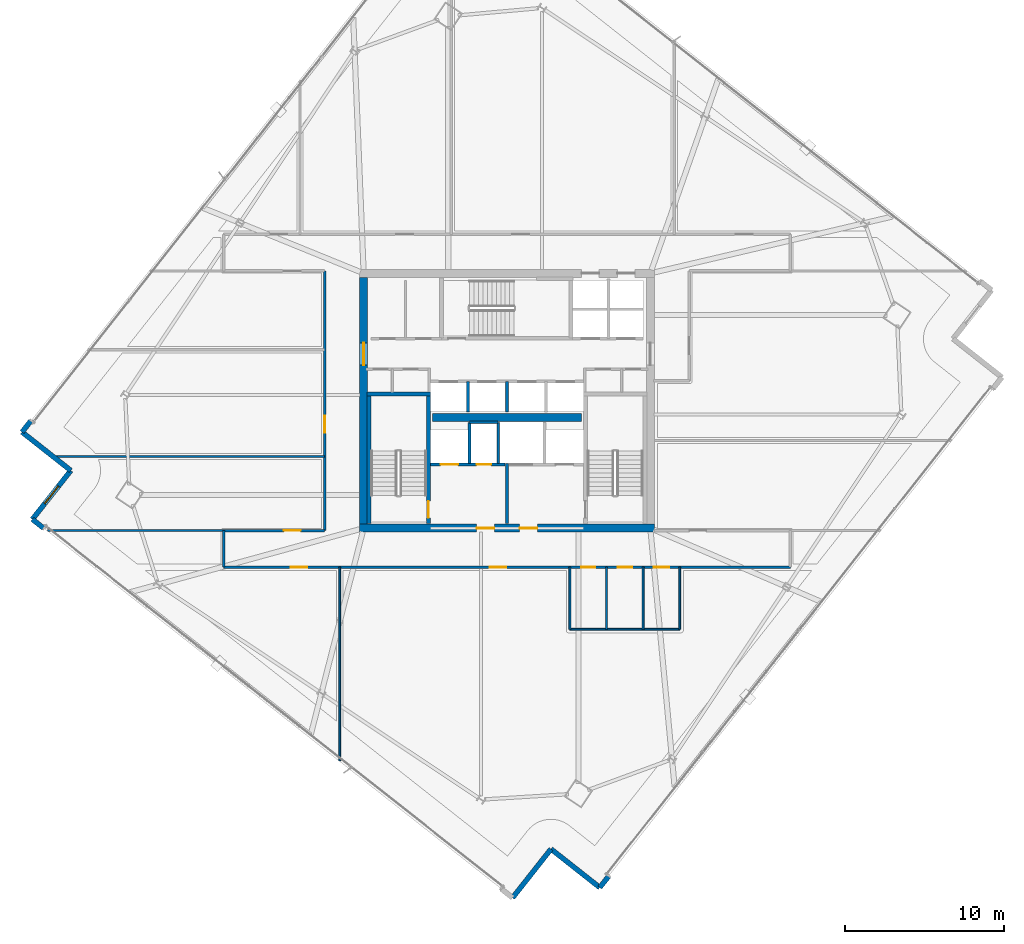
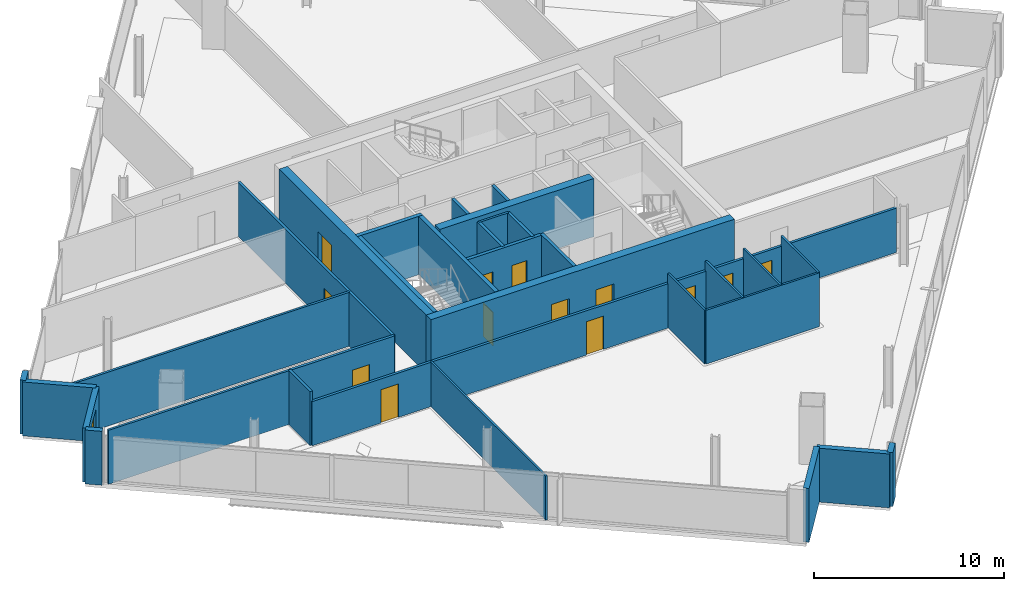
# One storey, part 20 of 28: 32 walls, 13 doors, 1 window, 14 openings.
"""IFC4 building model written with IfcOpenShell, lengths in metres."""

from ifc_helpers import new_model, si_unit, direction, frame, frame_2d, origin, place, context, subcontext, project, spatial, rectangle, extrude, material, layer, layer_set, type_object, element, fill, save


model = new_model("IFC4")

# Units and contexts
model_context = context("Model", 3, precision=1e-05, world=origin(), true_north=direction((0.0, 1.0)))
body_context = subcontext(model_context, "Body", "Model", "MODEL_VIEW")
ifc_project = project(units=[si_unit("LENGTHUNIT", "METRE"), si_unit("AREAUNIT", "SQUARE_METRE"), si_unit("VOLUMEUNIT", "CUBIC_METRE"), si_unit("PLANEANGLEUNIT", "RADIAN"), si_unit("MASSUNIT", "GRAM", prefix="KILO")], contexts=[model_context])

# Site, building, storey
site_placement = place(None, origin())
site = spatial("IfcSite", under=ifc_project, at=site_placement, CompositionType="ELEMENT")
building_placement = place(site_placement, origin())
building = spatial("IfcBuilding", under=site, at=building_placement, Name="Haldenkirk Collegiate Tower", CompositionType="ELEMENT")
storey_placement = place(building_placement, frame((0.0, 0.0, 202.199951171875)))
storey = spatial("IfcBuildingStorey", under=building, at=storey_placement, Name="L50", CompositionType="ELEMENT", Elevation=202.199951171875)

# Wall, openings, doors
ifc_material_1 = material(Name="Concrete f'c 55 MPa", Category="concrete")
ifc_layer_1 = layer(ifc_material_1, 0.5)
ifc_layer_set_1 = layer_set([ifc_layer_1], Name="Concrete f'c 55 MPa")
wall_type_1 = type_object("IfcWallType", Name="WL-CORE-500", PredefinedType="SHEAR", material=ifc_layer_set_1)
wall_1_placement = place(storey_placement, frame((26.75, 18.0, 0.0), z_axis=(0.0, 0.0, 1.0), x_axis=(1.0, 0.0, 0.0)))
wall_1 = element("IfcWall", 1, at=wall_1_placement, inside=storey, type_object=wall_type_1, Name="L50 central core shear wall S", PredefinedType="SHEAR", context=body_context, shape_type="SweptSolid", body=[
    extrude(rectangle(XDim=18.5, YDim=0.5, at=frame_2d((9.25, 0.0))), origin(), (0.0, 0.0, 1.0), 3.75),
])
opening_1_placement = place(wall_1_placement, frame((7.35009765625, 0.0, 0.0)))
opening_1 = element("IfcOpeningElement", 2, at=opening_1_placement, cuts=wall_1, Name="Opening D-02", PredefinedType="OPENING", context=body_context, shape_type="SweptSolid", body=[
    extrude(rectangle(XDim=1.10009765625, YDim=2.14990234375, at=frame_2d((0.550048828125, 1.074951171875))), frame((0.0, 0.260009765625, 0.0), z_axis=(0.0, -1.0, 0.0), x_axis=(1.0, 0.0, 0.0)), (0.0, 0.0, 1.0), 0.52001953125),
])
opening_2_placement = place(wall_1_placement, frame((10.050048828125, 0.0, 0.0)))
opening_2 = element("IfcOpeningElement", 3, at=opening_2_placement, cuts=wall_1, Name="Opening D-02", PredefinedType="OPENING", context=body_context, shape_type="SweptSolid", body=[
    extrude(rectangle(XDim=1.10009765625, YDim=2.14990234375, at=frame_2d((0.550048828125, 1.074951171875))), frame((0.0, 0.260009765625, 0.0), z_axis=(0.0, -1.0, 0.0), x_axis=(1.0, 0.0, 0.0)), (0.0, 0.0, 1.0), 0.52001953125),
])
ifc_material_2 = material(Name="Galvanized fire-rated hollow steel door", Category="steel")
ifc_layer_2 = layer(ifc_material_2, 0.06005859375)
ifc_layer_set_2 = layer_set([ifc_layer_2], Name="Galvanized fire-rated hollow steel door")
door_type_1 = type_object("IfcDoorType", Name="DR-STAIR-FD90-1100", OperationType="NOTDEFINED", PredefinedType="DOOR", material=ifc_layer_set_2)
door_1_placement = place(opening_1_placement, origin())
door_1 = element("IfcDoor", 4, at=door_1_placement, inside=storey, type_object=door_type_1, Name="L50 Firefighting Lobby 1 door", OperationType="SINGLE_SWING_RIGHT", OverallHeight=2.14990234375, OverallWidth=1.10009765625, PredefinedType="DOOR", context=body_context, shape_type="SweptSolid", body=[
    extrude(rectangle(XDim=1.10009765625, YDim=2.14990234375, at=frame_2d((0.550048828125, 1.074951171875))), frame((0.0, 0.02490234375, 0.0), z_axis=(0.0, -1.0, 0.0), x_axis=(1.0, 0.0, 0.0)), (0.0, 0.0, 1.0), 0.050048828125),
])
fill(opening_1, door_1)
door_2_placement = place(opening_2_placement, origin())
door_2 = element("IfcDoor", 5, at=door_2_placement, inside=storey, type_object=door_type_1, Name="L50 Firefighting Lobby 2 door", OperationType="SINGLE_SWING_LEFT", OverallHeight=2.14990234375, OverallWidth=1.10009765625, PredefinedType="DOOR", context=body_context, shape_type="SweptSolid", body=[
    extrude(rectangle(XDim=1.10009765625, YDim=2.14990234375, at=frame_2d((0.550048828125, 1.074951171875))), frame((0.0, 0.02490234375, 0.0), z_axis=(0.0, -1.0, 0.0), x_axis=(1.0, 0.0, 0.0)), (0.0, 0.0, 1.0), 0.050048828125),
])
fill(opening_2, door_2)

# Wall, opening, door
wall_2_placement = place(storey_placement, frame((27.0, 18.25, 0.0), z_axis=(0.0, 0.0, 1.0), x_axis=(0.0, 1.0, 0.0)))
wall_2 = element("IfcWall", 6, at=wall_2_placement, inside=storey, type_object=wall_type_1, Name="L50 central core shear wall W", PredefinedType="SHEAR", context=body_context, shape_type="SweptSolid", body=[
    extrude(rectangle(XDim=15.5, YDim=0.5, at=frame_2d((7.75, 0.0))), origin(), (0.0, 0.0, 1.0), 3.75),
])
opening_3_placement = place(wall_2_placement, frame((9.989990234375, 0.0, 0.0)))
opening_3 = element("IfcOpeningElement", 7, at=opening_3_placement, cuts=wall_2, Name="Opening D-03", PredefinedType="OPENING", context=body_context, shape_type="SweptSolid", body=[
    extrude(rectangle(XDim=1.39990234375, YDim=2.199951171875, at=frame_2d((0.699951171875, 1.10009765625))), frame((0.0, 0.260009765625, 0.0), z_axis=(0.0, -1.0, 0.0), x_axis=(1.0, 0.0, 0.0)), (0.0, 0.0, 1.0), 0.52001953125),
])
ifc_layer_3 = layer(ifc_material_2, 0.06005859375)
ifc_layer_set_3 = layer_set([ifc_layer_3], Name="Galvanized fire-rated hollow steel door")
door_type_2 = type_object("IfcDoorType", Name="DR-LOBBY-FD90-1400", OperationType="NOTDEFINED", PredefinedType="DOOR", material=ifc_layer_set_3)
door_3_placement = place(opening_3_placement, origin())
door_3 = element("IfcDoor", 8, at=door_3_placement, inside=storey, type_object=door_type_2, Name="L50 west lift lobby portal", OperationType="DOUBLE_DOOR_SINGLE_SWING", OverallHeight=2.199951171875, OverallWidth=1.39990234375, PredefinedType="DOOR", context=body_context, shape_type="SweptSolid", body=[
    extrude(rectangle(XDim=1.39990234375, YDim=2.199951171875, at=frame_2d((0.699951171875, 1.10009765625))), frame((0.0, 0.02490234375, 0.0), z_axis=(0.0, -1.0, 0.0), x_axis=(1.0, 0.0, 0.0)), (0.0, 0.0, 1.0), 0.050048828125),
])
fill(opening_3, door_3)

# Walls
wall_3_placement = place(storey_placement, frame((31.31005859375, 24.949951171875, 0.0), z_axis=(0.0, 0.0, 1.0), x_axis=(1.0, 0.0, 0.0)))
element("IfcWall", 9, at=wall_3_placement, inside=storey, type_object=wall_type_1, Name="L50 central core spine shear wall", PredefinedType="SHEAR", context=body_context, shape_type="SweptSolid", body=[
    extrude(rectangle(XDim=9.3798828125, YDim=0.5, at=frame_2d((4.68994140625, 0.0))), origin(), (0.0, 0.0, 1.0), 3.75),
])
ifc_material_3 = material(Name="Precast concrete f'c 40 MPa", Category="concrete")
ifc_layer_4 = layer(ifc_material_3, 0.320068359375)
ifc_layer_set_4 = layer_set([ifc_layer_4], Name="Precast concrete f'c 40 MPa")
wall_type_2 = type_object("IfcWallType", Name="WL-EXT-TWR-320", PredefinedType="STANDARD", material=ifc_layer_set_4)
wall_4_placement = place(storey_placement, frame((42.382568359375, -3.8623046875, 0.0), z_axis=(0.0, 0.0, 1.0), x_axis=(-0.61905480333, -0.785347789501, 0.0)))
element("IfcWall", 10, at=wall_4_placement, inside=storey, type_object=wall_type_2, Name="L50 precast corner pier SR", PredefinedType="STANDARD", context=body_context, shape_type="SweptSolid", body=[
    extrude(rectangle(XDim=0.89990234375, YDim=0.320068359375, at=frame_2d((0.449951171875, 0.0))), origin(), (0.0, 0.0, 1.0), 3.469970703125),
])
wall_5_placement = place(storey_placement, frame((5.543701171875, 24.032958984375, 0.0), z_axis=(0.0, 0.0, 1.0), x_axis=(0.619222077202, 0.785215906045, 0.0)))
element("IfcWall", 11, at=wall_5_placement, inside=storey, type_object=wall_type_2, Name="L50 precast corner pier NL", PredefinedType="STANDARD", context=body_context, shape_type="SweptSolid", body=[
    extrude(rectangle(XDim=0.900146484375, YDim=0.320068359375, at=frame_2d((0.4501953125, 0.0))), origin(), (0.0, 0.0, 1.0), 3.469970703125),
])
wall_6_placement = place(storey_placement, frame((8.6064453125, 21.618408203125, 0.0), z_axis=(0.0, 0.0, 1.0), x_axis=(-0.785307209053, 0.61910628119, 0.0)))
element("IfcWall", 12, at=wall_6_placement, inside=storey, type_object=wall_type_2, Name="L50 bronze precast notch wall 08", PredefinedType="STANDARD", context=body_context, shape_type="SweptSolid", body=[
    extrude(rectangle(XDim=3.900146484375, YDim=0.320068359375, at=frame_2d((1.9501953125, 0.0))), origin(), (0.0, 0.0, 1.0), 3.469970703125),
])

# Wall, opening, window
wall_7_placement = place(storey_placement, frame((6.192138671875, 18.555908203125, 0.0), z_axis=(0.0, 0.0, 1.0), x_axis=(0.619098110064, 0.785313650788, 0.0)))
wall_7 = element("IfcWall", 13, at=wall_7_placement, inside=storey, type_object=wall_type_2, Name="L50 bronze precast notch wall 09", PredefinedType="STANDARD", context=body_context, shape_type="SweptSolid", body=[
    extrude(rectangle(XDim=3.899658203125, YDim=0.320068359375, at=frame_2d((1.94970703125, 0.0))), origin(), (0.0, 0.0, 1.0), 3.469970703125),
])
opening_4_placement = place(wall_7_placement, frame((1.25, 0.0, 0.85009765625)))
opening_4 = element("IfcOpeningElement", 14, at=opening_4_placement, cuts=wall_7, Name="Opening W-06", PredefinedType="OPENING", context=body_context, shape_type="SweptSolid", body=[
    extrude(rectangle(XDim=1.39990234375, YDim=2.0, at=frame_2d((0.699951171875, 1.0))), frame((0.0, 0.169921875, 0.0), z_axis=(0.0, -1.0, 0.0), x_axis=(1.0, 0.0, 0.0)), (0.0, 0.0, 1.0), 0.340087890625),
])
ifc_material_4 = material(Name="Low-E argon triple insulating glass", Category="glass")
ifc_layer_5 = layer(ifc_material_4, 0.090087890625)
ifc_layer_set_5 = layer_set([ifc_layer_5], Name="Low-E argon triple insulating glass")
window_type = type_object("IfcWindowType", Name="WN-Z4-1400X2000", PartitioningType="SINGLE_PANEL", PredefinedType="WINDOW", material=ifc_layer_set_5)
window_placement = place(opening_4_placement, origin())
window = element("IfcWindow", 15, at=window_placement, inside=storey, type_object=window_type, Name="L50 precast-frame academic window 8", OverallHeight=2.0, OverallWidth=1.39990234375, PartitioningType="SINGLE_PANEL", PredefinedType="WINDOW", context=body_context, shape_type="SweptSolid", body=[
    extrude(rectangle(XDim=1.39990234375, YDim=2.0, at=frame_2d((0.699951171875, 1.0))), frame((0.0, 0.030029296875, 0.0), z_axis=(0.0, -1.0, 0.0), x_axis=(1.0, 0.0, 0.0)), (0.0, 0.0, 1.0), 0.06005859375),
])
fill(opening_4, window)

# Walls
wall_8_placement = place(storey_placement, frame((6.89892578125, 17.99853515625, 0.0), z_axis=(0.0, 0.0, 1.0), x_axis=(-0.785215906045, 0.619222077202, 0.0)))
element("IfcWall", 16, at=wall_8_placement, inside=storey, type_object=wall_type_2, Name="L50 precast corner pier WR", PredefinedType="STANDARD", context=body_context, shape_type="SweptSolid", body=[
    extrude(rectangle(XDim=0.900146484375, YDim=0.320068359375, at=frame_2d((0.4501953125, 0.0))), origin(), (0.0, 0.0, 1.0), 3.469970703125),
])
for number, where, z_axis, x_axis, name in (
    (17, (38.7626953125, -2.15478515625, 0.0), (0.0, 0.0, 1.0), (-0.61913671725, -0.785283213467, 0.0), "L50 bronze precast notch wall 11"),
    (18, (41.825439453125, -4.569091796875, 0.0), (0.0, 0.0, 1.0), (-0.785337644312, 0.619067673543, 0.0), "L50 bronze precast notch wall 12"),
):
    element("IfcWall", number, at=place(storey_placement, frame(where, z_axis=z_axis, x_axis=x_axis)), inside=storey, type_object=wall_type_2, Name=name, PredefinedType="STANDARD", context=body_context, shape_type="SweptSolid", body=[
        extrude(rectangle(XDim=3.89990234375, YDim=0.320068359375, at=frame_2d((1.949951171875, 0.0))), origin(), (0.0, 0.0, 1.0), 3.469970703125),
    ])

# Wall, openings, doors
ifc_material_5 = material(Name="Acoustic fire-rated gypsum partition", Category="concrete")
ifc_layer_6 = layer(ifc_material_5, 0.159912109375)
ifc_layer_set_6 = layer_set([ifc_layer_6], Name="Acoustic fire-rated gypsum partition")
wall_type_3 = type_object("IfcWallType", Name="WL-INT-CORR-160", PredefinedType="PARTITIONING", material=ifc_layer_set_6)
wall_9_placement = place(storey_placement, frame((18.199951171875, 15.550048828125, 0.0), z_axis=(0.0, 0.0, 1.0), x_axis=(1.0, 0.0, 0.0)))
wall_9 = element("IfcWall", 19, at=wall_9_placement, inside=storey, type_object=wall_type_3, Name="L50 interior partition IW-L50-CS", PredefinedType="PARTITIONING", context=body_context, shape_type="SweptSolid", body=[
    extrude(rectangle(XDim=35.60009765625, YDim=0.159912109375, at=frame_2d((17.800048828125, 0.0))), origin(), (0.0, 0.0, 1.0), 2.84912109375),
])
opening_5_placement = place(wall_9_placement, frame((22.449951171875, 0.0, 0.0)))
opening_5 = element("IfcOpeningElement", 20, at=opening_5_placement, cuts=wall_9, Name="Opening D-13", PredefinedType="OPENING", context=body_context, shape_type="SweptSolid", body=[
    extrude(rectangle(XDim=0.89990234375, YDim=2.14990234375, at=frame_2d((0.449951171875, 1.074951171875))), frame((0.0, 0.08984375, 0.0), z_axis=(0.0, -1.0, 0.0), x_axis=(1.0, 0.0, 0.0)), (0.0, 0.0, 1.0), 0.179931640625),
])
opening_6_placement = place(wall_9_placement, frame((24.75, 0.0, 0.0)))
opening_6 = element("IfcOpeningElement", 21, at=opening_6_placement, cuts=wall_9, Name="Opening D-13", PredefinedType="OPENING", context=body_context, shape_type="SweptSolid", body=[
    extrude(rectangle(XDim=0.89990234375, YDim=2.14990234375, at=frame_2d((0.449951171875, 1.074951171875))), frame((0.0, 0.08984375, 0.0), z_axis=(0.0, -1.0, 0.0), x_axis=(1.0, 0.0, 0.0)), (0.0, 0.0, 1.0), 0.179931640625),
])
opening_7_placement = place(wall_9_placement, frame((27.0, 0.0, 0.0)))
opening_7 = element("IfcOpeningElement", 22, at=opening_7_placement, cuts=wall_9, Name="Opening D-14", PredefinedType="OPENING", context=body_context, shape_type="SweptSolid", body=[
    extrude(rectangle(XDim=1.0, YDim=2.14990234375, at=frame_2d((0.5, 1.074951171875))), frame((0.0, 0.08984375, 0.0), z_axis=(0.0, -1.0, 0.0), x_axis=(1.0, 0.0, 0.0)), (0.0, 0.0, 1.0), 0.179931640625),
])
opening_8_placement = place(wall_9_placement, frame((4.20703125, 0.0, 0.0)))
opening_8 = element("IfcOpeningElement", 23, at=opening_8_placement, cuts=wall_9, Name="Opening D-09", PredefinedType="OPENING", context=body_context, shape_type="SweptSolid", body=[
    extrude(rectangle(XDim=1.050048828125, YDim=2.14990234375, at=frame_2d((0.52490234375, 1.074951171875))), frame((0.0, 0.08984375, 0.0), z_axis=(0.0, -1.0, 0.0), x_axis=(1.0, 0.0, 0.0)), (0.0, 0.0, 1.0), 0.179931640625),
])
opening_9_placement = place(wall_9_placement, frame((16.70703125, 0.0, 0.0)))
opening_9 = element("IfcOpeningElement", 24, at=opening_9_placement, cuts=wall_9, Name="Opening D-09", PredefinedType="OPENING", context=body_context, shape_type="SweptSolid", body=[
    extrude(rectangle(XDim=1.050048828125, YDim=2.14990234375, at=frame_2d((0.52490234375, 1.074951171875))), frame((0.0, 0.08984375, 0.0), z_axis=(0.0, -1.0, 0.0), x_axis=(1.0, 0.0, 0.0)), (0.0, 0.0, 1.0), 0.179931640625),
])
ifc_material_6 = material(Name="Solid-core architectural oak fire door", Category="wood")
ifc_layer_7 = layer(ifc_material_6, 0.06005859375)
ifc_layer_set_7 = layer_set([ifc_layer_7], Name="Solid-core architectural oak fire door")
door_type_3 = type_object("IfcDoorType", Name="DR-INT-ACC-1000", OperationType="NOTDEFINED", PredefinedType="DOOR", material=ifc_layer_set_7)
door_4_placement = place(opening_7_placement, origin())
door_4 = element("IfcDoor", 25, at=door_4_placement, inside=storey, type_object=door_type_3, Name="L50 Accessible WC door", OperationType="SINGLE_SWING_LEFT", OverallHeight=2.14990234375, OverallWidth=1.0, PredefinedType="DOOR", context=body_context, shape_type="SweptSolid", body=[
    extrude(rectangle(XDim=1.0, YDim=2.14990234375, at=frame_2d((0.5, 1.074951171875))), frame((0.0, 0.02490234375, 0.0), z_axis=(0.0, -1.0, 0.0), x_axis=(1.0, 0.0, 0.0)), (0.0, 0.0, 1.0), 0.050048828125),
])
fill(opening_7, door_4)
ifc_layer_8 = layer(ifc_material_6, 0.06005859375)
ifc_layer_set_8 = layer_set([ifc_layer_8], Name="Solid-core architectural oak fire door")
door_type_4 = type_object("IfcDoorType", Name="DR-INT-FD60-1050", OperationType="NOTDEFINED", PredefinedType="DOOR", material=ifc_layer_set_8)
door_5_placement = place(opening_8_placement, origin())
door_5 = element("IfcDoor", 26, at=door_5_placement, inside=storey, type_object=door_type_4, Name="L50 Academic Tea Kitchen 1 door", OperationType="SINGLE_SWING_RIGHT", OverallHeight=2.14990234375, OverallWidth=1.050048828125, PredefinedType="DOOR", context=body_context, shape_type="SweptSolid", body=[
    extrude(rectangle(XDim=1.050048828125, YDim=2.14990234375, at=frame_2d((0.52490234375, 1.074951171875))), frame((0.0, 0.02490234375, 0.0), z_axis=(0.0, -1.0, 0.0), x_axis=(1.0, 0.0, 0.0)), (0.0, 0.0, 1.0), 0.050048828125),
])
fill(opening_8, door_5)
door_6_placement = place(opening_9_placement, origin())
door_6 = element("IfcDoor", 27, at=door_6_placement, inside=storey, type_object=door_type_4, Name="L50 Catering Tea Kitchen 2 door", OperationType="SINGLE_SWING_LEFT", OverallHeight=2.14990234375, OverallWidth=1.050048828125, PredefinedType="DOOR", context=body_context, shape_type="SweptSolid", body=[
    extrude(rectangle(XDim=1.050048828125, YDim=2.14990234375, at=frame_2d((0.52490234375, 1.074951171875))), frame((0.0, 0.02490234375, 0.0), z_axis=(0.0, -1.0, 0.0), x_axis=(1.0, 0.0, 0.0)), (0.0, 0.0, 1.0), 0.050048828125),
])
fill(opening_9, door_6)
ifc_layer_9 = layer(ifc_material_6, 0.06005859375)
ifc_layer_set_9 = layer_set([ifc_layer_9], Name="Solid-core architectural oak fire door")
door_type_5 = type_object("IfcDoorType", Name="DR-INT-STD-900", OperationType="NOTDEFINED", PredefinedType="DOOR", material=ifc_layer_set_9)
door_7_placement = place(opening_5_placement, origin())
door_7 = element("IfcDoor", 28, at=door_7_placement, inside=storey, type_object=door_type_5, Name="L50 Male WC door", OperationType="SINGLE_SWING_LEFT", OverallHeight=2.14990234375, OverallWidth=0.89990234375, PredefinedType="DOOR", context=body_context, shape_type="SweptSolid", body=[
    extrude(rectangle(XDim=0.89990234375, YDim=2.14990234375, at=frame_2d((0.449951171875, 1.074951171875))), frame((0.0, 0.02490234375, 0.0), z_axis=(0.0, -1.0, 0.0), x_axis=(1.0, 0.0, 0.0)), (0.0, 0.0, 1.0), 0.050048828125),
])
fill(opening_5, door_7)
door_8_placement = place(opening_6_placement, origin())
door_8 = element("IfcDoor", 29, at=door_8_placement, inside=storey, type_object=door_type_5, Name="L50 Female WC door", OperationType="SINGLE_SWING_RIGHT", OverallHeight=2.14990234375, OverallWidth=0.89990234375, PredefinedType="DOOR", context=body_context, shape_type="SweptSolid", body=[
    extrude(rectangle(XDim=0.89990234375, YDim=2.14990234375, at=frame_2d((0.449951171875, 1.074951171875))), frame((0.0, 0.02490234375, 0.0), z_axis=(0.0, -1.0, 0.0), x_axis=(1.0, 0.0, 0.0)), (0.0, 0.0, 1.0), 0.050048828125),
])
fill(opening_6, door_8)

# Wall, opening, door
wall_10_placement = place(storey_placement, frame((18.199951171875, 17.85009765625, 0.0), z_axis=(0.0, 0.0, 1.0), x_axis=(1.0, 0.0, 0.0)))
wall_10 = element("IfcWall", 30, at=wall_10_placement, inside=storey, type_object=wall_type_3, Name="L50 interior partition IW-L50-CSW", PredefinedType="PARTITIONING", context=body_context, shape_type="SweptSolid", body=[
    extrude(rectangle(XDim=6.35009765625, YDim=0.159912109375, at=frame_2d((3.175048828125, 0.0))), origin(), (0.0, 0.0, 1.0), 3.469970703125),
])
opening_10_placement = place(wall_10_placement, frame((3.79296875, 0.0, 0.0)))
opening_10 = element("IfcOpeningElement", 31, at=opening_10_placement, cuts=wall_10, Name="Opening D-09", PredefinedType="OPENING", context=body_context, shape_type="SweptSolid", body=[
    extrude(rectangle(XDim=1.050048828125, YDim=2.14990234375, at=frame_2d((0.52490234375, 1.074951171875))), frame((0.0, 0.08984375, 0.0), z_axis=(0.0, -1.0, 0.0), x_axis=(1.0, 0.0, 0.0)), (0.0, 0.0, 1.0), 0.179931640625),
])
door_9_placement = place(opening_10_placement, origin())
door_9 = element("IfcDoor", 32, at=door_9_placement, inside=storey, type_object=door_type_4, Name="L50 Academic Tea Kitchen 7 door", OperationType="SINGLE_SWING_RIGHT", OverallHeight=2.14990234375, OverallWidth=1.050048828125, PredefinedType="DOOR", context=body_context, shape_type="SweptSolid", body=[
    extrude(rectangle(XDim=1.050048828125, YDim=2.14990234375, at=frame_2d((0.52490234375, 1.074951171875))), frame((0.0, 0.02490234375, 0.0), z_axis=(0.0, -1.0, 0.0), x_axis=(1.0, 0.0, 0.0)), (0.0, 0.0, 1.0), 0.050048828125),
])
fill(opening_10, door_9)

wall_11_placement = place(storey_placement, frame((24.550048828125, 17.85009765625, 0.0), z_axis=(0.0, 0.0, 1.0), x_axis=(0.0, 1.0, 0.0)))
wall_11 = element("IfcWall", 33, at=wall_11_placement, inside=storey, type_object=wall_type_3, Name="L50 interior partition IW-L50-CW", PredefinedType="PARTITIONING", context=body_context, shape_type="SweptSolid", body=[
    extrude(rectangle(XDim=16.2998046875, YDim=0.159912109375, at=frame_2d((8.14990234375, 0.0))), origin(), (0.0, 0.0, 1.0), 3.469970703125),
])
opening_11_placement = place(wall_11_placement, frame((6.14892578125, 0.0, 0.0)))
opening_11 = element("IfcOpeningElement", 34, at=opening_11_placement, cuts=wall_11, Name="Opening D-09", PredefinedType="OPENING", context=body_context, shape_type="SweptSolid", body=[
    extrude(rectangle(XDim=1.050048828125, YDim=2.14990234375, at=frame_2d((0.52490234375, 1.074951171875))), frame((0.0, 0.08984375, 0.0), z_axis=(0.0, -1.0, 0.0), x_axis=(1.0, 0.0, 0.0)), (0.0, 0.0, 1.0), 0.179931640625),
])
door_10_placement = place(opening_11_placement, origin())
door_10 = element("IfcDoor", 35, at=door_10_placement, inside=storey, type_object=door_type_4, Name="L50 Catering Tea Kitchen 8 door", OperationType="SINGLE_SWING_LEFT", OverallHeight=2.14990234375, OverallWidth=1.050048828125, PredefinedType="DOOR", context=body_context, shape_type="SweptSolid", body=[
    extrude(rectangle(XDim=1.050048828125, YDim=2.14990234375, at=frame_2d((0.52490234375, 1.074951171875))), frame((0.0, 0.02490234375, 0.0), z_axis=(0.0, -1.0, 0.0), x_axis=(1.0, 0.0, 0.0)), (0.0, 0.0, 1.0), 0.050048828125),
])
fill(opening_11, door_10)

# Walls
wall_12_placement = place(storey_placement, frame((18.199951171875, 15.550048828125, 0.0), z_axis=(0.0, 0.0, 1.0), x_axis=(0.0, 1.0, 0.0)))
element("IfcWall", 36, at=wall_12_placement, inside=storey, type_object=wall_type_3, Name="L50 interior partition IW-L50-CSL", PredefinedType="PARTITIONING", context=body_context, shape_type="SweptSolid", body=[
    extrude(rectangle(XDim=2.300048828125, YDim=0.159912109375, at=frame_2d((1.14990234375, 0.0))), origin(), (0.0, 0.0, 1.0), 3.469970703125),
])
ifc_layer_10 = layer(ifc_material_5, 0.139892578125)
ifc_layer_set_10 = layer_set([ifc_layer_10], Name="Acoustic fire-rated gypsum partition")
wall_type_4 = type_object("IfcWallType", Name="WL-INT-DIV-140", PredefinedType="PARTITIONING", material=ifc_layer_set_10)
wall_13_placement = place(storey_placement, frame((7.152099609375, 17.85009765625, 0.0), z_axis=(0.0, 0.0, 1.0), x_axis=(1.0, 0.0, 0.0)))
element("IfcWall", 37, at=wall_13_placement, inside=storey, type_object=wall_type_4, Name="L50 interior partition IW-L50-BWS", PredefinedType="PARTITIONING", context=body_context, shape_type="SweptSolid", body=[
    extrude(rectangle(XDim=11.0478515625, YDim=0.139892578125, at=frame_2d((5.52392578125, 0.0))), origin(), (0.0, 0.0, 1.0), 3.469970703125),
])
wall_14_placement = place(storey_placement, frame((7.552978515625, 22.5, 0.0), z_axis=(0.0, 0.0, 1.0), x_axis=(1.0, 0.0, 0.0)))
element("IfcWall", 38, at=wall_14_placement, inside=storey, type_object=wall_type_4, Name="L50 interior partition IW-L50-RW1", PredefinedType="PARTITIONING", context=body_context, shape_type="SweptSolid", body=[
    extrude(rectangle(XDim=16.9970703125, YDim=0.139892578125, at=frame_2d((8.49853515625, 0.0))), origin(), (0.0, 0.0, 1.0), 3.469970703125),
])
ifc_material_7 = material(Name="Fire-rated gypsum shaftboard assembly", Category="concrete")
ifc_layer_11 = layer(ifc_material_7, 0.179931640625)
ifc_layer_set_11 = layer_set([ifc_layer_11], Name="Fire-rated gypsum shaftboard assembly")
wall_type_5 = type_object("IfcWallType", Name="WL-INT-SHAFT-180", PredefinedType="PARTITIONING", material=ifc_layer_set_11)
for number, where, z_axis, x_axis, name in (
    (39, (33.64990234375, 22.050048828125, 0.0), (0.0, 0.0, 1.0), (0.0, 1.0, 0.0), "L50 interior partition IW-L50-FL1E"),
    (40, (35.449951171875, 22.050048828125, 0.0), (0.0, 0.0, 1.0), (0.0, 1.0, 0.0), "L50 interior partition IW-L50-GL1W"),
):
    element("IfcWall", number, at=place(storey_placement, frame(where, z_axis=z_axis, x_axis=x_axis)), inside=storey, type_object=wall_type_5, Name=name, PredefinedType="PARTITIONING", context=body_context, shape_type="SweptSolid", body=[
        extrude(rectangle(XDim=2.599853515625, YDim=0.179931640625, at=frame_2d((1.2998046875, 0.0))), origin(), (0.0, 0.0, 1.0), 3.469970703125),
    ])
wall_15_placement = place(storey_placement, frame((33.64990234375, 24.64990234375, 0.0), z_axis=(0.0, 0.0, 1.0), x_axis=(1.0, 0.0, 0.0)))
element("IfcWall", 41, at=wall_15_placement, inside=storey, type_object=wall_type_5, Name="L50 interior partition IW-L50-RSRN", PredefinedType="PARTITIONING", context=body_context, shape_type="SweptSolid", body=[
    extrude(rectangle(XDim=1.800048828125, YDim=0.179931640625, at=frame_2d((0.89990234375, 0.0))), origin(), (0.0, 0.0, 1.0), 3.469970703125),
])
for number, where, z_axis, x_axis, name in (
    (42, (33.5400390625, 25.300048828125, 0.0), (0.0, 0.0, 1.0), (0.0, 1.0, 0.0), "L50 interior partition IW-L50-PHV1"),
    (43, (36.0, 25.300048828125, 0.0), (0.0, 0.0, 1.0), (0.0, 1.0, 0.0), "L50 interior partition IW-L50-PHV2"),
):
    element("IfcWall", number, at=place(storey_placement, frame(where, z_axis=z_axis, x_axis=x_axis)), inside=storey, type_object=wall_type_5, Name=name, PredefinedType="PARTITIONING", context=body_context, shape_type="SweptSolid", body=[
        extrude(rectangle(XDim=1.89990234375, YDim=0.179931640625, at=frame_2d((0.949951171875, 0.0))), origin(), (0.0, 0.0, 1.0), 3.469970703125),
    ])
ifc_layer_12 = layer(ifc_material_7, 0.199951171875)
ifc_layer_set_12 = layer_set([ifc_layer_12], Name="Fire-rated gypsum shaftboard assembly")
wall_type_6 = type_object("IfcWallType", Name="WL-INT-SHAFT-200", PredefinedType="PARTITIONING", material=ifc_layer_set_12)
wall_16_placement = place(storey_placement, frame((36.0, 18.280029296875, 0.0), z_axis=(0.0, 0.0, 1.0), x_axis=(0.0, 1.0, 0.0)))
element("IfcWall", 44, at=wall_16_placement, inside=storey, type_object=wall_type_6, Name="L50 interior partition IW-L50-FFLM", PredefinedType="PARTITIONING", context=body_context, shape_type="SweptSolid", body=[
    extrude(rectangle(XDim=3.77001953125, YDim=0.199951171875, at=frame_2d((1.885009765625, 0.0))), origin(), (0.0, 0.0, 1.0), 3.469970703125),
])

# Wall, openings, doors
wall_17_placement = place(storey_placement, frame((31.18994140625, 22.0, 0.0), z_axis=(0.0, 0.0, 1.0), x_axis=(1.0, 0.0, 0.0)))
wall_17 = element("IfcWall", 45, at=wall_17_placement, inside=storey, type_object=wall_type_6, Name="L50 interior partition IW-L50-FFL1N", PredefinedType="PARTITIONING", context=body_context, shape_type="SweptSolid", body=[
    extrude(rectangle(XDim=4.68994140625, YDim=0.199951171875, at=frame_2d((2.344970703125, 0.0))), origin(), (0.0, 0.0, 1.0), 3.469970703125),
])
opening_12_placement = place(wall_17_placement, frame((2.909912109375, 0.0, 0.0)))
opening_12 = element("IfcOpeningElement", 46, at=opening_12_placement, cuts=wall_17, Name="Opening D-06", PredefinedType="OPENING", context=body_context, shape_type="SweptSolid", body=[
    extrude(rectangle(XDim=0.89990234375, YDim=2.14990234375, at=frame_2d((0.449951171875, 1.074951171875))), frame((0.0, 0.10986328125, 0.0), z_axis=(0.0, -1.0, 0.0), x_axis=(1.0, 0.0, 0.0)), (0.0, 0.0, 1.0), 0.219970703125),
])
opening_13_placement = place(wall_17_placement, frame((0.635009765625, 0.0, 0.0)))
opening_13 = element("IfcOpeningElement", 47, at=opening_13_placement, cuts=wall_17, Name="Opening LD-12", PredefinedType="OPENING", context=body_context, shape_type="SweptSolid", body=[
    extrude(rectangle(XDim=1.10009765625, YDim=2.14990234375, at=frame_2d((0.550048828125, 1.074951171875))), frame((0.0, 0.10986328125, 0.0), z_axis=(0.0, -1.0, 0.0), x_axis=(1.0, 0.0, 0.0)), (0.0, 0.0, 1.0), 0.219970703125),
])
ifc_layer_13 = layer(ifc_material_2, 0.06005859375)
ifc_layer_set_13 = layer_set([ifc_layer_13], Name="Galvanized fire-rated hollow steel door")
door_type_6 = type_object("IfcDoorType", Name="DR-INT-FD90-900", OperationType="NOTDEFINED", PredefinedType="DOOR", material=ifc_layer_set_13)
door_11_placement = place(opening_12_placement, origin())
door_11 = element("IfcDoor", 48, at=door_11_placement, inside=storey, type_object=door_type_6, Name="L50 electrical riser door", OperationType="SINGLE_SWING_RIGHT", OverallHeight=2.14990234375, OverallWidth=0.89990234375, PredefinedType="DOOR", context=body_context, shape_type="SweptSolid", body=[
    extrude(rectangle(XDim=0.89990234375, YDim=2.14990234375, at=frame_2d((0.449951171875, 1.074951171875))), frame((0.0, 0.02490234375, 0.0), z_axis=(0.0, -1.0, 0.0), x_axis=(1.0, 0.0, 0.0)), (0.0, 0.0, 1.0), 0.050048828125),
])
fill(opening_12, door_11)
ifc_material_8 = material(Name="Brushed architectural stainless steel", Category="steel")
ifc_layer_14 = layer(ifc_material_8, 0.06005859375)
ifc_layer_set_14 = layer_set([ifc_layer_14], Name="Brushed architectural stainless steel")
door_type_7 = type_object("IfcDoorType", Name="LD-FIRE-1100", OperationType="NOTDEFINED", PredefinedType="DOOR", material=ifc_layer_set_14)
door_12_placement = place(opening_13_placement, origin())
door_12 = element("IfcDoor", 49, at=door_12_placement, inside=storey, type_object=door_type_7, Name="L50 Elevator FL1 sliding landing door", OperationType="SLIDING_TO_LEFT", OverallHeight=2.14990234375, OverallWidth=1.10009765625, PredefinedType="DOOR", context=body_context, shape_type="SweptSolid", body=[
    extrude(rectangle(XDim=1.10009765625, YDim=2.14990234375, at=frame_2d((0.550048828125, 1.074951171875))), frame((0.0, 0.02490234375, 0.0), z_axis=(0.0, -1.0, 0.0), x_axis=(1.0, 0.0, 0.0)), (0.0, 0.0, 1.0), 0.050048828125),
])
fill(opening_13, door_12)

# Walls
ifc_layer_15 = layer(ifc_material_5, 0.1201171875)
ifc_layer_set_15 = layer_set([ifc_layer_15], Name="Acoustic fire-rated gypsum partition")
wall_type_7 = type_object("IfcWallType", Name="WL-INT-WET-120", PredefinedType="PARTITIONING", material=ifc_layer_set_15)
for number, where, z_axis, x_axis, name in (
    (50, (39.949951171875, 11.64990234375, 0.0), (0.0, 0.0, 1.0), (0.0, 1.0, 0.0), "L50 interior partition IW-L50-WCW"),
    (51, (42.25, 11.64990234375, 0.0), (0.0, 0.0, 1.0), (0.0, 1.0, 0.0), "L50 interior partition IW-L50-WC1"),
    (52, (44.550048828125, 11.64990234375, 0.0), (0.0, 0.0, 1.0), (0.0, 1.0, 0.0), "L50 interior partition IW-L50-WC2"),
    (53, (46.85009765625, 11.64990234375, 0.0), (0.0, 0.0, 1.0), (0.0, 1.0, 0.0), "L50 interior partition IW-L50-WCE"),
):
    element("IfcWall", number, at=place(storey_placement, frame(where, z_axis=z_axis, x_axis=x_axis)), inside=storey, type_object=wall_type_7, Name=name, PredefinedType="PARTITIONING", context=body_context, shape_type="SweptSolid", body=[
        extrude(rectangle(XDim=3.900146484375, YDim=0.1201171875, at=frame_2d((1.9501953125, 0.0))), origin(), (0.0, 0.0, 1.0), 3.469970703125),
    ])
wall_18_placement = place(storey_placement, frame((39.949951171875, 11.64990234375, 0.0), z_axis=(0.0, 0.0, 1.0), x_axis=(1.0, 0.0, 0.0)))
element("IfcWall", 54, at=wall_18_placement, inside=storey, type_object=wall_type_7, Name="L50 interior partition IW-L50-WCB", PredefinedType="PARTITIONING", context=body_context, shape_type="SweptSolid", body=[
    extrude(rectangle(XDim=6.900146484375, YDim=0.1201171875, at=frame_2d((3.4501953125, 0.0))), origin(), (0.0, 0.0, 1.0), 3.469970703125),
])
wall_19_placement = place(storey_placement, frame((25.5, 3.385498046875, 0.0), z_axis=(0.0, 0.0, 1.0), x_axis=(0.0, 1.0, 0.0)))
element("IfcWall", 55, at=wall_19_placement, inside=storey, type_object=wall_type_7, Name="L50 interior partition IW-L50-RS1", PredefinedType="PARTITIONING", context=body_context, shape_type="SweptSolid", body=[
    extrude(rectangle(XDim=12.16455078125, YDim=0.1201171875, at=frame_2d((6.082275390625, 0.0))), origin(), (0.0, 0.0, 1.0), 2.84912109375),
])

# Wall, opening, door
ifc_layer_16 = layer(ifc_material_1, 0.239990234375)
ifc_layer_set_16 = layer_set([ifc_layer_16], Name="Concrete f'c 55 MPa")
wall_type_8 = type_object("IfcWallType", Name="WL-SHAFT-240", PredefinedType="SHEAR", material=ifc_layer_set_16)
wall_20_placement = place(storey_placement, frame((31.070068359375, 18.280029296875, 0.0), z_axis=(0.0, 0.0, 1.0), x_axis=(0.0, 1.0, 0.0)))
wall_20 = element("IfcWall", 56, at=wall_20_placement, inside=storey, type_object=wall_type_8, Name="L50 stair shaft shear wall SW-L50-ST1E", PredefinedType="SHEAR", context=body_context, shape_type="SweptSolid", body=[
    extrude(rectangle(XDim=8.260009765625, YDim=0.239990234375, at=frame_2d((4.1298828125, 0.0))), origin(), (0.0, 0.0, 1.0), 3.75),
])
opening_14_placement = place(wall_20_placement, frame((0.364990234375, 0.0, 0.0)))
opening_14 = element("IfcOpeningElement", 57, at=opening_14_placement, cuts=wall_20, Name="Opening D-01", PredefinedType="OPENING", context=body_context, shape_type="SweptSolid", body=[
    extrude(rectangle(XDim=1.050048828125, YDim=2.14990234375, at=frame_2d((0.52490234375, 1.074951171875))), frame((0.0, 0.1298828125, 0.0), z_axis=(0.0, -1.0, 0.0), x_axis=(1.0, 0.0, 0.0)), (0.0, 0.0, 1.0), 0.260009765625),
])
ifc_layer_17 = layer(ifc_material_2, 0.06005859375)
ifc_layer_set_17 = layer_set([ifc_layer_17], Name="Galvanized fire-rated hollow steel door")
door_type_8 = type_object("IfcDoorType", Name="DR-STAIR-FD90-1050", OperationType="NOTDEFINED", PredefinedType="DOOR", material=ifc_layer_set_17)
door_13_placement = place(opening_14_placement, origin())
door_13 = element("IfcDoor", 58, at=door_13_placement, inside=storey, type_object=door_type_8, Name="L50 Stair 1 door", OperationType="SINGLE_SWING_LEFT", OverallHeight=2.14990234375, OverallWidth=1.050048828125, PredefinedType="DOOR", context=body_context, shape_type="SweptSolid", body=[
    extrude(rectangle(XDim=1.050048828125, YDim=2.14990234375, at=frame_2d((0.52490234375, 1.074951171875))), frame((0.0, 0.02490234375, 0.0), z_axis=(0.0, -1.0, 0.0), x_axis=(1.0, 0.0, 0.0)), (0.0, 0.0, 1.0), 0.050048828125),
])
fill(opening_14, door_13)

# Walls
wall_21_placement = place(storey_placement, frame((27.2099609375, 26.419921875, 0.0), z_axis=(0.0, 0.0, 1.0), x_axis=(1.0, 0.0, 0.0)))
element("IfcWall", 59, at=wall_21_placement, inside=storey, type_object=wall_type_8, Name="L50 stair shaft shear wall SW-L50-ST1N", PredefinedType="SHEAR", context=body_context, shape_type="SweptSolid", body=[
    extrude(rectangle(XDim=3.97998046875, YDim=0.239990234375, at=frame_2d((1.989990234375, 0.0))), origin(), (0.0, 0.0, 1.0), 3.75),
])
wall_22_placement = place(storey_placement, frame((27.330078125, 18.280029296875, 0.0), z_axis=(0.0, 0.0, 1.0), x_axis=(0.0, 1.0, 0.0)))
element("IfcWall", 60, at=wall_22_placement, inside=storey, type_object=wall_type_8, Name="L50 stair shaft shear wall SW-L50-ST1W", PredefinedType="SHEAR", context=body_context, shape_type="SweptSolid", body=[
    extrude(rectangle(XDim=8.260009765625, YDim=0.239990234375, at=frame_2d((4.1298828125, 0.0))), origin(), (0.0, 0.0, 1.0), 3.75),
])

save(model, "model.ifc")
